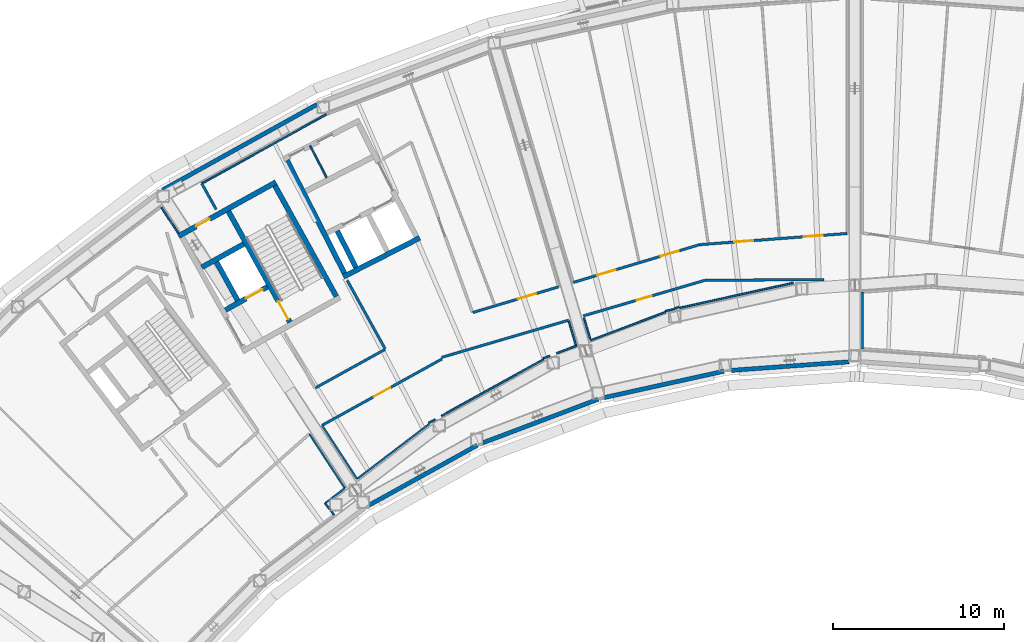
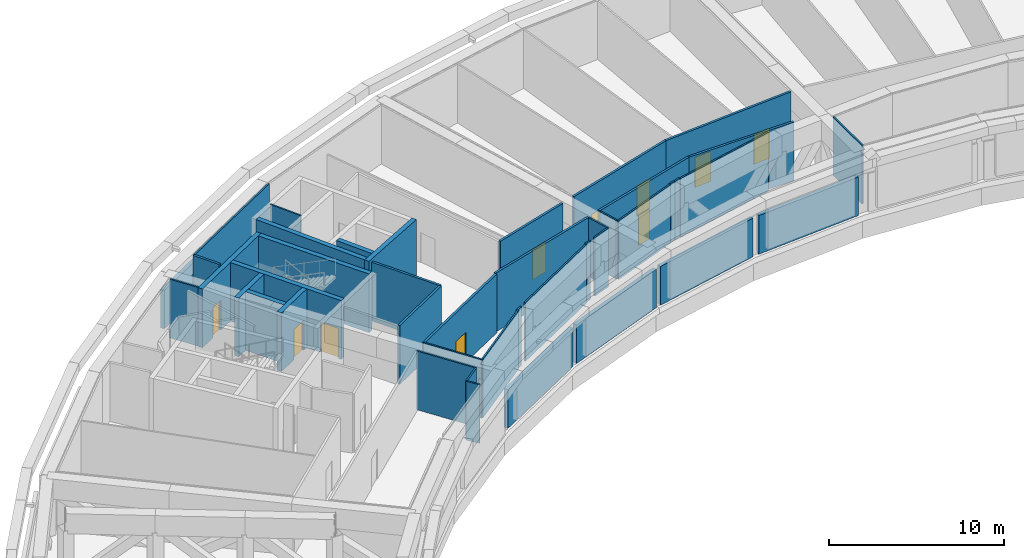
# One storey, part 8 of 25: 43 walls, 10 doors, 10 openings.
"""IFC4 building model written with IfcOpenShell, lengths in metres."""

from ifc_helpers import new_model, si_unit, direction, frame, frame_2d, origin, place, context, subcontext, project, spatial, rectangle, extrude, material, layer, layer_set, type_object, element, fill, save


model = new_model("IFC4")

# Units and contexts
model_context = context("Model", 3, precision=1e-05, world=origin(), true_north=direction((0.0, 1.0)))
body_context = subcontext(model_context, "Body", "Model", "MODEL_VIEW")
ifc_project = project(units=[si_unit("LENGTHUNIT", "METRE"), si_unit("AREAUNIT", "SQUARE_METRE"), si_unit("VOLUMEUNIT", "CUBIC_METRE"), si_unit("PLANEANGLEUNIT", "RADIAN"), si_unit("MASSUNIT", "GRAM", prefix="KILO")], contexts=[model_context])

# Site, building, storey
site_placement = place(None, origin())
site = spatial("IfcSite", under=ifc_project, at=site_placement, CompositionType="ELEMENT")
building_placement = place(site_placement, origin())
building = spatial("IfcBuilding", under=site, at=building_placement, Name="Tuul Gate Civic Tower", CompositionType="ELEMENT")
storey_placement = place(building_placement, frame((0.0, 0.0, 133.699951171875)))
storey = spatial("IfcBuildingStorey", under=building, at=storey_placement, Name="Plant and refuge floor 4", CompositionType="ELEMENT", Elevation=133.699951171875)

# Wall, opening, door
ifc_material_1 = material(Name="Concrete C50/60", Category="concrete")
ifc_layer_1 = layer(ifc_material_1, 0.300048828125)
ifc_layer_set_1 = layer_set([ifc_layer_1], Name="Concrete C50/60")
wall_type_1 = type_object("IfcWallType", Name="Core wall C50/60", PredefinedType="SHEAR", material=ifc_layer_set_1)
wall_1_placement = place(storey_placement, frame((-28.94580078125, -8.090087890625, 0.0), z_axis=(0.0, 0.0, 1.0), x_axis=(-0.874629840737, -0.484791338301, 0.0)))
wall_1 = element("IfcWall", 1, at=wall_1_placement, inside=storey, type_object=wall_type_1, Name="Core wall", PredefinedType="SHEAR", context=body_context, shape_type="SweptSolid", body=[
    extrude(rectangle(XDim=2.800048828125, YDim=0.300048828125, at=frame_2d((1.39990234375, 0.0))), origin(), (0.0, 0.0, 1.0), 4.10009765625),
])
opening_1_placement = place(wall_1_placement, frame((0.324951171875, 0.0, 0.0)))
opening_1 = element("IfcOpeningElement", 2, at=opening_1_placement, cuts=wall_1, Name="Opening LD-FF-1", PredefinedType="OPENING", context=body_context, shape_type="SweptSolid", body=[
    extrude(rectangle(XDim=1.10009765625, YDim=2.10009765625, at=frame_2d((0.550048828125, 1.050048828125))), frame((0.0, 0.16015625, 0.0), z_axis=(0.0, -1.0, 0.0), x_axis=(1.0, 0.0, 0.0)), (0.0, 0.0, 1.0), 0.320068359375),
])
ifc_material_2 = material(Name="Stainless steel", Category="steel")
door_type_1 = type_object("IfcDoorType", Name="Landing door", OperationType="DOUBLE_DOOR_SLIDING", PredefinedType="DOOR", material=ifc_material_2)
door_1_placement = place(opening_1_placement, origin())
door_1 = element("IfcDoor", 3, at=door_1_placement, inside=storey, type_object=door_type_1, Name="Fire-fighting lift FF-1 landing door", OperationType="DOUBLE_DOOR_SLIDING", OverallHeight=2.10009765625, OverallWidth=1.10009765625, PredefinedType="DOOR", context=body_context, shape_type="SweptSolid", body=[
    extrude(rectangle(XDim=1.10009765625, YDim=2.10009765625, at=frame_2d((0.550048828125, 1.050048828125))), frame((0.0, 0.02490234375, 0.0), z_axis=(0.0, -1.0, 0.0), x_axis=(1.0, 0.0, 0.0)), (0.0, 0.0, 1.0), 0.050048828125),
])
fill(opening_1, door_1)

# Wall
wall_2_placement = place(storey_placement, frame((-30.327392578125, -5.59716796875, 0.0), z_axis=(0.0, 0.0, 1.0), x_axis=(-0.874629840737, -0.484791338301, 0.0)))
element("IfcWall", 4, at=wall_2_placement, inside=storey, type_object=wall_type_1, Name="Core wall", PredefinedType="SHEAR", context=body_context, shape_type="SweptSolid", body=[
    extrude(rectangle(XDim=2.800048828125, YDim=0.300048828125, at=frame_2d((1.39990234375, 0.0))), origin(), (0.0, 0.0, 1.0), 4.10009765625),
])

# Wall, opening, door
wall_3_placement = place(storey_placement, frame((-28.4443359375, -1.98095703125, 0.0), z_axis=(0.0, 0.0, 1.0), x_axis=(-0.874629909008, -0.484791215132, 0.0)))
wall_3 = element("IfcWall", 5, at=wall_3_placement, inside=storey, type_object=wall_type_1, Name="Core wall", PredefinedType="SHEAR", context=body_context, shape_type="SweptSolid", body=[
    extrude(rectangle(XDim=6.5, YDim=0.300048828125, at=frame_2d((3.25, 0.0))), origin(), (0.0, 0.0, 1.0), 4.10009765625),
])
opening_2_placement = place(wall_3_placement, frame((4.425048828125, 0.0, 0.0)))
opening_2 = element("IfcOpeningElement", 6, at=opening_2_placement, cuts=wall_3, Name="Opening PB-D27", PredefinedType="OPENING", context=body_context, shape_type="SweptSolid", body=[
    extrude(rectangle(XDim=0.89990234375, YDim=2.10009765625, at=frame_2d((0.449951171875, 1.050048828125))), frame((0.0, 0.16015625, 0.0), z_axis=(0.0, -1.0, 0.0), x_axis=(1.0, 0.0, 0.0)), (0.0, 0.0, 1.0), 0.320068359375),
])
ifc_material_3 = material(Name="Timber door leaf", Category="wood")
door_type_2 = type_object("IfcDoorType", Name="Door D09", OperationType="NOTDEFINED", PredefinedType="DOOR", material=ifc_material_3)
door_2_placement = place(opening_2_placement, origin())
door_2 = element("IfcDoor", 7, at=door_2_placement, inside=storey, type_object=door_type_2, Name="Door PB-D27", OperationType="SINGLE_SWING_LEFT", OverallHeight=2.10009765625, OverallWidth=0.89990234375, PredefinedType="DOOR", context=body_context, shape_type="SweptSolid", body=[
    extrude(rectangle(XDim=0.89990234375, YDim=2.10009765625, at=frame_2d((0.449951171875, 1.050048828125))), frame((0.0, 0.02490234375, 0.0), z_axis=(0.0, -1.0, 0.0), x_axis=(1.0, 0.0, 0.0)), (0.0, 0.0, 1.0), 0.050048828125),
])
fill(opening_2, door_2)

# Wall
wall_4_placement = place(storey_placement, frame((-24.91552734375, -8.6572265625, 0.0), z_axis=(0.0, 0.0, 1.0), x_axis=(-0.484777133038, 0.874637714304, 0.0)))
element("IfcWall", 8, at=wall_4_placement, inside=storey, type_object=wall_type_1, Name="Core wall", PredefinedType="SHEAR", context=body_context, shape_type="SweptSolid", body=[
    extrude(rectangle(XDim=7.400146484375, YDim=0.300048828125, at=frame_2d((3.7001953125, 0.0))), origin(), (0.0, 0.0, 1.0), 4.10009765625),
])

# Wall, opening, door
wall_5_placement = place(storey_placement, frame((-27.626953125, -10.16015625, 0.0), z_axis=(0.0, 0.0, 1.0), x_axis=(-0.484751894226, 0.874651702704, 0.0)))
wall_5 = element("IfcWall", 9, at=wall_5_placement, inside=storey, type_object=wall_type_1, Name="Core wall", PredefinedType="SHEAR", context=body_context, shape_type="SweptSolid", body=[
    extrude(rectangle(XDim=7.39990234375, YDim=0.300048828125, at=frame_2d((3.699951171875, 0.0))), origin(), (0.0, 0.0, 1.0), 4.10009765625),
])
opening_3_placement = place(wall_5_placement, frame((0.199951171875, 0.0, 0.0)))
opening_3 = element("IfcOpeningElement", 10, at=opening_3_placement, cuts=wall_5, Name="Opening SD-ST-2", PredefinedType="OPENING", context=body_context, shape_type="SweptSolid", body=[
    extrude(rectangle(XDim=1.199951171875, YDim=2.10009765625, at=frame_2d((0.60009765625, 1.050048828125))), frame((0.0, 0.16015625, 0.0), z_axis=(0.0, -1.0, 0.0), x_axis=(1.0, 0.0, 0.0)), (0.0, 0.0, 1.0), 0.320068359375),
])
ifc_material_4 = material(Name="Steel", Category="steel")
door_type_3 = type_object("IfcDoorType", Name="Stair door", OperationType="NOTDEFINED", PredefinedType="DOOR", material=ifc_material_4)
door_3_placement = place(opening_3_placement, origin())
door_3 = element("IfcDoor", 11, at=door_3_placement, inside=storey, type_object=door_type_3, Name="Stair door ST-2", OperationType="SINGLE_SWING_LEFT", OverallHeight=2.10009765625, OverallWidth=1.199951171875, PredefinedType="DOOR", context=body_context, shape_type="SweptSolid", body=[
    extrude(rectangle(XDim=1.199951171875, YDim=2.10009765625, at=frame_2d((0.60009765625, 1.050048828125))), frame((0.0, 0.02490234375, 0.0), z_axis=(0.0, -1.0, 0.0), x_axis=(1.0, 0.0, 0.0)), (0.0, 0.0, 1.0), 0.050048828125),
])
fill(opening_3, door_3)

# Walls
wall_6_placement = place(storey_placement, frame((-30.680419921875, -8.8798828125, 0.0), z_axis=(0.0, 0.0, 1.0), x_axis=(-0.484724115216, 0.874667097888, 0.0)))
element("IfcWall", 12, at=wall_6_placement, inside=storey, type_object=wall_type_1, Name="Core wall", PredefinedType="SHEAR", context=body_context, shape_type="SweptSolid", body=[
    extrude(rectangle(XDim=2.550048828125, YDim=0.300048828125, at=frame_2d((1.27490234375, 0.0))), origin(), (0.0, 0.0, 1.0), 4.10009765625),
])
ifc_material_5 = material(Name="Gypsum board partition")
ifc_layer_2 = layer(ifc_material_5, 0.14990234375)
ifc_layer_set_2 = layer_set([ifc_layer_2], Name="Gypsum board partition")
wall_type_2 = type_object("IfcWallType", Name="Corridor wall P150", PredefinedType="PARTITIONING", material=ifc_layer_set_2)
wall_7_placement = place(storey_placement, frame((-18.76611328125, -12.21484375, 0.0), z_axis=(0.0, 0.0, 1.0), x_axis=(0.959718916179, 0.280961922559, 0.0)))
element("IfcWall", 13, at=wall_7_placement, inside=storey, type_object=wall_type_2, Name="p001", PredefinedType="PARTITIONING", context=body_context, shape_type="SweptSolid", body=[
    extrude(rectangle(XDim=7.7275390625, YDim=0.14990234375, at=frame_2d((3.86376953125, 0.0))), origin(), (0.0, 0.0, 1.0), 4.10009765625),
])

# Wall, opening, door
wall_8_placement = place(storey_placement, frame((-10.486083984375, -9.790771484375, 0.0), z_axis=(0.0, 0.0, 1.0), x_axis=(0.959714594981, 0.280976682627, 0.0)))
wall_8 = element("IfcWall", 14, at=wall_8_placement, inside=storey, type_object=wall_type_2, Name="p002", PredefinedType="PARTITIONING", context=body_context, shape_type="SweptSolid", body=[
    extrude(rectangle(XDim=7.389892578125, YDim=0.14990234375, at=frame_2d((3.69482421875, 0.0))), origin(), (0.0, 0.0, 1.0), 4.10009765625),
])
opening_4_placement = place(wall_8_placement, frame((3.244873046875, 0.0, 0.0)))
opening_4 = element("IfcOpeningElement", 15, at=opening_4_placement, cuts=wall_8, Name="Opening PB-D01", PredefinedType="OPENING", context=body_context, shape_type="SweptSolid", body=[
    extrude(rectangle(XDim=0.89990234375, YDim=2.10009765625, at=frame_2d((0.449951171875, 1.050048828125))), frame((0.0, 0.0849609375, 0.0), z_axis=(0.0, -1.0, 0.0), x_axis=(1.0, 0.0, 0.0)), (0.0, 0.0, 1.0), 0.169921875),
])
door_4_placement = place(opening_4_placement, frame((0.89990234375, 0.0, 0.0), z_axis=(0.0, 0.0, 1.0), x_axis=(-1.0, 0.0, 0.0)))
door_4 = element("IfcDoor", 16, at=door_4_placement, inside=storey, type_object=door_type_2, Name="Door PB-D01", OperationType="SINGLE_SWING_LEFT", OverallHeight=2.10009765625, OverallWidth=0.89990234375, PredefinedType="DOOR", context=body_context, shape_type="SweptSolid", body=[
    extrude(rectangle(XDim=0.89990234375, YDim=2.10009765625, at=frame_2d((0.449951171875, 1.050048828125))), frame((0.0, 0.02490234375, 0.0), z_axis=(0.0, -1.0, 0.0), x_axis=(1.0, 0.0, 0.0)), (0.0, 0.0, 1.0), 0.050048828125),
])
fill(opening_4, door_4)

# Wall
wall_9_placement = place(storey_placement, frame((-3.386962890625, -7.71337890625, 0.0), z_axis=(0.0, 0.0, 1.0), x_axis=(0.999981405181, 0.006098302415, 0.0)))
element("IfcWall", 17, at=wall_9_placement, inside=storey, type_object=wall_type_2, Name="p003", PredefinedType="PARTITIONING", context=body_context, shape_type="SweptSolid", body=[
    extrude(rectangle(XDim=6.966064453125, YDim=0.14990234375, at=frame_2d((3.48291015625, 0.0))), origin(), (0.0, 0.0, 1.0), 4.10009765625),
])

# Wall, openings, doors
wall_10_placement = place(storey_placement, frame((-3.69970703125, -5.630859375, 0.0), z_axis=(0.0, 0.0, 1.0), x_axis=(0.99714052903, 0.075569606098, 0.0)))
wall_10 = element("IfcWall", 18, at=wall_10_placement, inside=storey, type_object=wall_type_2, Name="p042", PredefinedType="PARTITIONING", context=body_context, shape_type="SweptSolid", body=[
    extrude(rectangle(XDim=8.6484375, YDim=0.14990234375, at=frame_2d((4.32421875, 0.0))), origin(), (0.0, 0.0, 1.0), 4.10009765625),
])
opening_5_placement = place(wall_10_placement, frame((6.111083984375, 0.0, 0.0)))
opening_5 = element("IfcOpeningElement", 19, at=opening_5_placement, cuts=wall_10, Name="Opening PB-D15", PredefinedType="OPENING", context=body_context, shape_type="SweptSolid", body=[
    extrude(rectangle(XDim=1.10009765625, YDim=2.10009765625, at=frame_2d((0.550048828125, 1.050048828125))), frame((0.0, 0.0849609375, 0.0), z_axis=(0.0, -1.0, 0.0), x_axis=(1.0, 0.0, 0.0)), (0.0, 0.0, 1.0), 0.169921875),
])
opening_6_placement = place(wall_10_placement, frame((2.041748046875, 0.0, 0.0)))
opening_6 = element("IfcOpeningElement", 20, at=opening_6_placement, cuts=wall_10, Name="Opening PB-D16", PredefinedType="OPENING", context=body_context, shape_type="SweptSolid", body=[
    extrude(rectangle(XDim=1.10009765625, YDim=2.10009765625, at=frame_2d((0.550048828125, 1.050048828125))), frame((0.0, 0.0849609375, 0.0), z_axis=(0.0, -1.0, 0.0), x_axis=(1.0, 0.0, 0.0)), (0.0, 0.0, 1.0), 0.169921875),
])
ifc_material_6 = material(Name="Timber door leaf", Category="wood")
door_type_4 = type_object("IfcDoorType", Name="Door D11", OperationType="NOTDEFINED", PredefinedType="DOOR", material=ifc_material_6)
door_5_placement = place(opening_5_placement, origin())
door_5 = element("IfcDoor", 21, at=door_5_placement, inside=storey, type_object=door_type_4, Name="Door PB-D15", OperationType="SINGLE_SWING_RIGHT", OverallHeight=2.10009765625, OverallWidth=1.10009765625, PredefinedType="DOOR", context=body_context, shape_type="SweptSolid", body=[
    extrude(rectangle(XDim=1.10009765625, YDim=2.10009765625, at=frame_2d((0.550048828125, 1.050048828125))), frame((0.0, 0.02490234375, 0.0), z_axis=(0.0, -1.0, 0.0), x_axis=(1.0, 0.0, 0.0)), (0.0, 0.0, 1.0), 0.050048828125),
])
fill(opening_5, door_5)
door_6_placement = place(opening_6_placement, origin())
door_6 = element("IfcDoor", 22, at=door_6_placement, inside=storey, type_object=door_type_4, Name="Door PB-D16", OperationType="SINGLE_SWING_RIGHT", OverallHeight=2.10009765625, OverallWidth=1.10009765625, PredefinedType="DOOR", context=body_context, shape_type="SweptSolid", body=[
    extrude(rectangle(XDim=1.10009765625, YDim=2.10009765625, at=frame_2d((0.550048828125, 1.050048828125))), frame((0.0, 0.02490234375, 0.0), z_axis=(0.0, -1.0, 0.0), x_axis=(1.0, 0.0, 0.0)), (0.0, 0.0, 1.0), 0.050048828125),
])
fill(opening_6, door_6)

# Wall, opening, door
wall_11_placement = place(storey_placement, frame((-16.943603515625, -9.593505859375, 0.0), z_axis=(0.0, 0.0, 1.0), x_axis=(0.958034060002, 0.286654390993, 0.0)))
wall_11 = element("IfcWall", 23, at=wall_11_placement, inside=storey, type_object=wall_type_2, Name="p045", PredefinedType="PARTITIONING", context=body_context, shape_type="SweptSolid", body=[
    extrude(rectangle(XDim=5.232666015625, YDim=0.14990234375, at=frame_2d((2.6162109375, 0.0))), origin(), (0.0, 0.0, 1.0), 4.10009765625),
])
opening_7_placement = place(wall_11_placement, frame((2.746826171875, 0.0, 0.0)))
opening_7 = element("IfcOpeningElement", 24, at=opening_7_placement, cuts=wall_11, Name="Opening PB-D191", PredefinedType="OPENING", context=body_context, shape_type="SweptSolid", body=[
    extrude(rectangle(XDim=1.10009765625, YDim=2.10009765625, at=frame_2d((0.550048828125, 1.050048828125))), frame((0.0, 0.0849609375, 0.0), z_axis=(0.0, -1.0, 0.0), x_axis=(1.0, 0.0, 0.0)), (0.0, 0.0, 1.0), 0.169921875),
])
door_7_placement = place(opening_7_placement, origin())
door_7 = element("IfcDoor", 25, at=door_7_placement, inside=storey, type_object=door_type_4, Name="Door PB-D19", OperationType="SINGLE_SWING_RIGHT", OverallHeight=2.10009765625, OverallWidth=1.10009765625, PredefinedType="DOOR", context=body_context, shape_type="SweptSolid", body=[
    extrude(rectangle(XDim=1.10009765625, YDim=2.10009765625, at=frame_2d((0.550048828125, 1.050048828125))), frame((0.0, 0.02490234375, 0.0), z_axis=(0.0, -1.0, 0.0), x_axis=(1.0, 0.0, 0.0)), (0.0, 0.0, 1.0), 0.050048828125),
])
fill(opening_7, door_7)

# Wall, openings, doors
wall_12_placement = place(storey_placement, frame((-11.068359375, -7.83544921875, 0.0), z_axis=(0.0, 0.0, 1.0), x_axis=(0.958026172304, 0.286680751325, 0.0)))
wall_12 = element("IfcWall", 26, at=wall_12_placement, inside=storey, type_object=wall_type_2, Name="p046", PredefinedType="PARTITIONING", context=body_context, shape_type="SweptSolid", body=[
    extrude(rectangle(XDim=7.689208984375, YDim=0.14990234375, at=frame_2d((3.8447265625, 0.0))), origin(), (0.0, 0.0, 1.0), 4.10009765625),
])
opening_8_placement = place(wall_12_placement, frame((5.305419921875, 0.0, 0.0)))
opening_8 = element("IfcOpeningElement", 27, at=opening_8_placement, cuts=wall_12, Name="Opening PB-D17", PredefinedType="OPENING", context=body_context, shape_type="SweptSolid", body=[
    extrude(rectangle(XDim=1.10009765625, YDim=2.10009765625, at=frame_2d((0.550048828125, 1.050048828125))), frame((0.0, 0.0849609375, 0.0), z_axis=(0.0, -1.0, 0.0), x_axis=(1.0, 0.0, 0.0)), (0.0, 0.0, 1.0), 0.169921875),
])
opening_9_placement = place(wall_12_placement, frame((1.460693359375, 0.0, 0.0)))
opening_9 = element("IfcOpeningElement", 28, at=opening_9_placement, cuts=wall_12, Name="Opening PB-D18", PredefinedType="OPENING", context=body_context, shape_type="SweptSolid", body=[
    extrude(rectangle(XDim=1.10009765625, YDim=2.10009765625, at=frame_2d((0.550048828125, 1.050048828125))), frame((0.0, 0.0849609375, 0.0), z_axis=(0.0, -1.0, 0.0), x_axis=(1.0, 0.0, 0.0)), (0.0, 0.0, 1.0), 0.169921875),
])
door_8_placement = place(opening_8_placement, origin())
door_8 = element("IfcDoor", 29, at=door_8_placement, inside=storey, type_object=door_type_4, Name="Door PB-D17", OperationType="SINGLE_SWING_LEFT", OverallHeight=2.10009765625, OverallWidth=1.10009765625, PredefinedType="DOOR", context=body_context, shape_type="SweptSolid", body=[
    extrude(rectangle(XDim=1.10009765625, YDim=2.10009765625, at=frame_2d((0.550048828125, 1.050048828125))), frame((0.0, 0.02490234375, 0.0), z_axis=(0.0, -1.0, 0.0), x_axis=(1.0, 0.0, 0.0)), (0.0, 0.0, 1.0), 0.050048828125),
])
fill(opening_8, door_8)
door_9_placement = place(opening_9_placement, origin())
door_9 = element("IfcDoor", 30, at=door_9_placement, inside=storey, type_object=door_type_4, Name="Door PB-D18", OperationType="SINGLE_SWING_RIGHT", OverallHeight=2.10009765625, OverallWidth=1.10009765625, PredefinedType="DOOR", context=body_context, shape_type="SweptSolid", body=[
    extrude(rectangle(XDim=1.10009765625, YDim=2.10009765625, at=frame_2d((0.550048828125, 1.050048828125))), frame((0.0, 0.02490234375, 0.0), z_axis=(0.0, -1.0, 0.0), x_axis=(1.0, 0.0, 0.0)), (0.0, 0.0, 1.0), 0.050048828125),
])
fill(opening_9, door_9)

# Walls
wall_13_placement = place(storey_placement, frame((-24.275390625, -7.7236328125, 0.0), z_axis=(0.0, 0.0, 1.0), x_axis=(0.484144956825, -0.874987806076, 0.0)))
element("IfcWall", 31, at=wall_13_placement, inside=storey, type_object=wall_type_2, Name="p050", PredefinedType="PARTITIONING", context=body_context, shape_type="SweptSolid", body=[
    extrude(rectangle(XDim=4.568603515625, YDim=0.14990234375, at=frame_2d((2.2841796875, 0.0))), origin(), (0.0, 0.0, 1.0), 4.10009765625),
])
wall_14_placement = place(storey_placement, frame((-26.140625, -14.0009765625, 0.0), z_axis=(0.0, 0.0, 1.0), x_axis=(0.874955964253, 0.484202499599, 0.0)))
element("IfcWall", 32, at=wall_14_placement, inside=storey, type_object=wall_type_2, Name="p051", PredefinedType="PARTITIONING", context=body_context, shape_type="SweptSolid", body=[
    extrude(rectangle(XDim=4.650390625, YDim=0.14990234375, at=frame_2d((2.3251953125, 0.0))), origin(), (0.0, 0.0, 1.0), 4.10009765625),
])
wall_15_placement = place(storey_placement, frame((-32.7744140625, -2.056396484375, 0.0), z_axis=(0.0, 0.0, 1.0), x_axis=(0.484254237601, -0.874927330334, 0.0)))
element("IfcWall", 33, at=wall_15_placement, inside=storey, type_object=wall_type_2, Name="p052", PredefinedType="PARTITIONING", context=body_context, shape_type="SweptSolid", body=[
    extrude(rectangle(XDim=1.732177734375, YDim=0.14990234375, at=frame_2d((0.8662109375, 0.0))), origin(), (0.0, 0.0, 1.0), 4.10009765625),
])

# Wall, opening, door
wall_16_placement = place(storey_placement, frame((-25.74658203125, -16.18310546875, 0.0), z_axis=(0.0, 0.0, 1.0), x_axis=(0.874961993483, 0.484191604595, 0.0)))
wall_16 = element("IfcWall", 34, at=wall_16_placement, inside=storey, type_object=wall_type_2, Name="p054", PredefinedType="PARTITIONING", context=body_context, shape_type="SweptSolid", body=[
    extrude(rectangle(XDim=8.001953125, YDim=0.14990234375, at=frame_2d((4.0009765625, 0.0))), origin(), (0.0, 0.0, 1.0), 4.10009765625),
])
opening_10_placement = place(wall_16_placement, frame((3.450927734375, 0.0, 0.0)))
opening_10 = element("IfcOpeningElement", 35, at=opening_10_placement, cuts=wall_16, Name="Opening PB-D211", PredefinedType="OPENING", context=body_context, shape_type="SweptSolid", body=[
    extrude(rectangle(XDim=1.10009765625, YDim=2.10009765625, at=frame_2d((0.550048828125, 1.050048828125))), frame((0.0, 0.0849609375, 0.0), z_axis=(0.0, -1.0, 0.0), x_axis=(1.0, 0.0, 0.0)), (0.0, 0.0, 1.0), 0.169921875),
])
door_10_placement = place(opening_10_placement, frame((1.10009765625, 0.0, 0.0), z_axis=(0.0, 0.0, 1.0), x_axis=(-1.0, 0.0, 0.0)))
door_10 = element("IfcDoor", 36, at=door_10_placement, inside=storey, type_object=door_type_4, Name="Door PB-D21", OperationType="SINGLE_SWING_LEFT", OverallHeight=2.10009765625, OverallWidth=1.10009765625, PredefinedType="DOOR", context=body_context, shape_type="SweptSolid", body=[
    extrude(rectangle(XDim=1.10009765625, YDim=2.10009765625, at=frame_2d((0.550048828125, 1.050048828125))), frame((0.0, 0.02490234375, 0.0), z_axis=(0.0, -1.0, 0.0), x_axis=(1.0, 0.0, 0.0)), (0.0, 0.0, 1.0), 0.050048828125),
])
fill(opening_10, door_10)

# Walls
ifc_material_7 = material(Name="Precast concrete C40/50", Category="concrete")
ifc_layer_3 = layer(ifc_material_7, 0.25)
ifc_layer_set_3 = layer_set([ifc_layer_3], Name="Precast concrete C40/50")
wall_type_3 = type_object("IfcWallType", Name="External wall 2700 HIGH", PredefinedType="STANDARD", material=ifc_layer_set_3)
wall_17_placement = place(storey_placement, frame((-26.0400390625, 2.562744140625, 0.0), z_axis=(0.0, 0.0, 1.0), x_axis=(-0.874636614574, -0.484779117173, 0.0)))
element("IfcWall", 37, at=wall_17_placement, inside=storey, type_object=wall_type_3, Name="External wall", PredefinedType="STANDARD", context=body_context, shape_type="SweptSolid", body=[
    extrude(rectangle(XDim=10.321533203125, YDim=0.25, at=frame_2d((5.16064453125, 0.0))), origin(), (0.0, 0.0, 1.0), 2.699951171875),
])
wall_18_placement = place(storey_placement, frame((-23.0029296875, -20.85009765625, 0.0), z_axis=(0.0, 0.0, 1.0), x_axis=(0.874616834791, 0.484814802064, 0.0)))
element("IfcWall", 38, at=wall_18_placement, inside=storey, type_object=wall_type_3, Name="External wall", PredefinedType="STANDARD", context=body_context, shape_type="SweptSolid", body=[
    extrude(rectangle(XDim=7.23583984375, YDim=0.25, at=frame_2d((3.617919921875, 0.0))), origin(), (0.0, 0.0, 1.0), 2.699951171875),
])
wall_19_placement = place(storey_placement, frame((-16.363037109375, -17.206787109375, 0.0), z_axis=(0.0, 0.0, 1.0), x_axis=(0.935366815182, 0.353679121602, 0.0)))
element("IfcWall", 39, at=wall_19_placement, inside=storey, type_object=wall_type_3, Name="External wall", PredefinedType="STANDARD", context=body_context, shape_type="SweptSolid", body=[
    extrude(rectangle(XDim=7.20947265625, YDim=0.25, at=frame_2d((3.604736328125, 0.0))), origin(), (0.0, 0.0, 1.0), 2.699951171875),
])
wall_20_placement = place(storey_placement, frame((-9.261962890625, -14.562255859375, 0.0), z_axis=(0.0, 0.0, 1.0), x_axis=(0.976560720559, 0.215242094075, 0.0)))
element("IfcWall", 40, at=wall_20_placement, inside=storey, type_object=wall_type_3, Name="External wall", PredefinedType="STANDARD", context=body_context, shape_type="SweptSolid", body=[
    extrude(rectangle(XDim=7.151611328125, YDim=0.25, at=frame_2d((3.57568359375, 0.0))), origin(), (0.0, 0.0, 1.0), 2.699951171875),
])
wall_21_placement = place(storey_placement, frame((-1.847900390625, -12.972900390625, 0.0), z_axis=(0.0, 0.0, 1.0), x_axis=(0.997387122807, 0.072242143228, 0.0)))
element("IfcWall", 41, at=wall_21_placement, inside=storey, type_object=wall_type_3, Name="External wall", PredefinedType="STANDARD", context=body_context, shape_type="SweptSolid", body=[
    extrude(rectangle(XDim=6.904296875, YDim=0.25, at=frame_2d((3.4521484375, 0.0))), origin(), (0.0, 0.0, 1.0), 2.699951171875),
])
ifc_material_8 = material(Name="Concrete C40/50", Category="concrete")
ifc_layer_4 = layer(ifc_material_8, 0.300048828125)
ifc_layer_set_4 = layer_set([ifc_layer_4], Name="Concrete C40/50")
wall_type_4 = type_object("IfcWallType", Name="Lift shaft wall C40/50", PredefinedType="STANDARD", material=ifc_layer_set_4)
wall_22_placement = place(storey_placement, frame((-20.049072265625, -5.232421875, 0.0), z_axis=(0.0, 0.0, 1.0), x_axis=(-0.891002976909, -0.453997461601, 0.0)))
element("IfcWall", 42, at=wall_22_placement, inside=storey, type_object=wall_type_4, Name="Shaft wall", PredefinedType="STANDARD", context=body_context, shape_type="SweptSolid", body=[
    extrude(rectangle(XDim=5.0, YDim=0.300048828125, at=frame_2d((2.5, 0.0))), origin(), (0.0, 0.0, 1.0), 4.10009765625),
])
wall_23_placement = place(storey_placement, frame((-23.770263671875, -6.960205078125, 0.0), z_axis=(0.0, 0.0, 1.0), x_axis=(-0.45399587725, 0.891003784189, 0.0)))
element("IfcWall", 43, at=wall_23_placement, inside=storey, type_object=wall_type_4, Name="Shaft wall", PredefinedType="STANDARD", context=body_context, shape_type="SweptSolid", body=[
    extrude(rectangle(XDim=2.39990234375, YDim=0.300048828125, at=frame_2d((1.199951171875, 0.0))), origin(), (0.0, 0.0, 1.0), 4.10009765625),
])
wall_24_placement = place(storey_placement, frame((-24.438720703125, -7.300537109375, 0.0), z_axis=(0.0, 0.0, 1.0), x_axis=(-0.453984101083, 0.891009784438, 0.0)))
element("IfcWall", 44, at=wall_24_placement, inside=storey, type_object=wall_type_4, Name="Shaft wall", PredefinedType="STANDARD", context=body_context, shape_type="SweptSolid", body=[
    extrude(rectangle(XDim=7.399658203125, YDim=0.300048828125, at=frame_2d((3.69970703125, 0.0))), origin(), (0.0, 0.0, 1.0), 4.10009765625),
])
ifc_material_9 = material(Name="Gypsum board partition")
ifc_layer_5 = layer(ifc_material_9, 0.10009765625)
ifc_layer_set_5 = layer_set([ifc_layer_5], Name="Gypsum board partition")
wall_type_5 = type_object("IfcWallType", Name="Partition P100", PredefinedType="PARTITIONING", material=ifc_layer_set_5)
wall_25_placement = place(storey_placement, frame((1.780029296875, -7.8623046875, 0.0), z_axis=(0.0, 0.0, 1.0), x_axis=(-0.976560780589, -0.215241821714, 0.0)))
element("IfcWall", 45, at=wall_25_placement, inside=storey, type_object=wall_type_5, Name="p060", PredefinedType="PARTITIONING", context=body_context, shape_type="SweptSolid", body=[
    extrude(rectangle(XDim=6.8134765625, YDim=0.10009765625, at=frame_2d((3.40673828125, 0.0))), origin(), (0.0, 0.0, 1.0), 4.10009765625),
])
for number, where, z_axis, x_axis, name in (
    (46, (-4.895263671875, -9.27197265625, 0.0), (0.0, 0.0, 1.0), (-0.93529148989, -0.353878268532, 0.0), "p061"),
    (47, (-5.28564453125, -9.419677734375, 0.0), (0.0, 0.0, 1.0), (-0.976570782862, -0.215196435984, 0.0), "p062"),
):
    element("IfcWall", number, at=place(storey_placement, frame(where, z_axis=z_axis, x_axis=x_axis)), inside=storey, type_object=wall_type_5, Name=name, PredefinedType="PARTITIONING", context=body_context, shape_type="SweptSolid", body=[
        extrude(rectangle(XDim=0.41748046875, YDim=0.10009765625, at=frame_2d((0.208740234375, 0.0))), origin(), (0.0, 0.0, 1.0), 4.10009765625),
    ])
wall_26_placement = place(storey_placement, frame((-5.68017578125, -9.568603515625, 0.0), z_axis=(0.0, 0.0, 1.0), x_axis=(-0.935367859975, -0.353676358449, 0.0)))
element("IfcWall", 48, at=wall_26_placement, inside=storey, type_object=wall_type_5, Name="p063", PredefinedType="PARTITIONING", context=body_context, shape_type="SweptSolid", body=[
    extrude(rectangle(XDim=4.682373046875, YDim=0.10009765625, at=frame_2d((2.34130859375, 0.0))), origin(), (0.0, 0.0, 1.0), 4.10009765625),
])
wall_27_placement = place(storey_placement, frame((-10.08837890625, -11.128662109375, 0.0), z_axis=(0.0, 0.0, 1.0), x_axis=(-0.285108618534, 0.958495214196, 0.0)))
element("IfcWall", 49, at=wall_27_placement, inside=storey, type_object=wall_type_5, Name="p064", PredefinedType="PARTITIONING", context=body_context, shape_type="SweptSolid", body=[
    extrude(rectangle(XDim=1.270751953125, YDim=0.10009765625, at=frame_2d((0.63525390625, 0.0))), origin(), (0.0, 0.0, 1.0), 4.10009765625),
])
wall_28_placement = place(storey_placement, frame((-35.140380859375, -3.442138671875, 0.0), z_axis=(0.0, 0.0, 1.0), x_axis=(0.546700758525, -0.837328060337, 0.0)))
element("IfcWall", 50, at=wall_28_placement, inside=storey, type_object=wall_type_5, Name="p066", PredefinedType="PARTITIONING", context=body_context, shape_type="SweptSolid", body=[
    extrude(rectangle(XDim=1.822998046875, YDim=0.10009765625, at=frame_2d((0.91162109375, 0.0))), origin(), (0.0, 0.0, 1.0), 4.10009765625),
])
wall_29_placement = place(storey_placement, frame((5.823974609375, -11.705322265625, 0.0), z_axis=(0.0, 0.0, 1.0), x_axis=(0.0, 1.0, 0.0)))
element("IfcWall", 51, at=wall_29_placement, inside=storey, type_object=wall_type_5, Name="p097", PredefinedType="PARTITIONING", context=body_context, shape_type="SweptSolid", body=[
    extrude(rectangle(XDim=3.294677734375, YDim=0.10009765625, at=frame_2d((1.6474609375, 0.0))), origin(), (0.0, 0.0, 1.0), 4.10009765625),
])
wall_30_placement = place(storey_placement, frame((-32.775390625, -2.056884765625, 0.0), z_axis=(0.0, 0.0, 1.0), x_axis=(0.874630353135, 0.484790413864, 0.0)))
element("IfcWall", 52, at=wall_30_placement, inside=storey, type_object=wall_type_5, Name="p108", PredefinedType="PARTITIONING", context=body_context, shape_type="SweptSolid", body=[
    extrude(rectangle(XDim=8.31787109375, YDim=0.10009765625, at=frame_2d((4.158935546875, 0.0))), origin(), (0.0, 0.0, 1.0), 4.10009765625),
])
wall_31_placement = place(storey_placement, frame((-11.336181640625, -10.0908203125, 0.0), z_axis=(0.0, 0.0, 1.0), x_axis=(0.285234219914, -0.958457844556, 0.0)))
element("IfcWall", 53, at=wall_31_placement, inside=storey, type_object=wall_type_5, Name="p110", PredefinedType="PARTITIONING", context=body_context, shape_type="SweptSolid", body=[
    extrude(rectangle(XDim=1.515869140625, YDim=0.10009765625, at=frame_2d((0.7578125, 0.0))), origin(), (0.0, 0.0, 1.0), 4.10009765625),
])
wall_32_placement = place(storey_placement, frame((-10.90380859375, -11.543701171875, 0.0), z_axis=(0.0, 0.0, 1.0), x_axis=(-0.935288034966, -0.353887399676, 0.0)))
element("IfcWall", 54, at=wall_32_placement, inside=storey, type_object=wall_type_5, Name="p111", PredefinedType="PARTITIONING", context=body_context, shape_type="SweptSolid", body=[
    extrude(rectangle(XDim=1.228759765625, YDim=0.10009765625, at=frame_2d((0.6142578125, 0.0))), origin(), (0.0, 0.0, 1.0), 4.10009765625),
])
wall_33_placement = place(storey_placement, frame((-12.44775390625, -12.127685546875, 0.0), z_axis=(0.0, 0.0, 1.0), x_axis=(-0.935484987267, -0.353366436716, 0.0)))
element("IfcWall", 55, at=wall_33_placement, inside=storey, type_object=wall_type_5, Name="p112", PredefinedType="PARTITIONING", context=body_context, shape_type="SweptSolid", body=[
    extrude(rectangle(XDim=0.417236328125, YDim=0.10009765625, at=frame_2d((0.20849609375, 0.0))), origin(), (0.0, 0.0, 1.0), 4.10009765625),
])
wall_34_placement = place(storey_placement, frame((-12.816650390625, -12.33203125, 0.0), z_axis=(0.0, 0.0, 1.0), x_axis=(-0.874591289072, -0.484860884253, 0.0)))
element("IfcWall", 56, at=wall_34_placement, inside=storey, type_object=wall_type_5, Name="p113", PredefinedType="PARTITIONING", context=body_context, shape_type="SweptSolid", body=[
    extrude(rectangle(XDim=6.813720703125, YDim=0.10009765625, at=frame_2d((3.40673828125, 0.0))), origin(), (0.0, 0.0, 1.0), 4.10009765625),
])
wall_35_placement = place(storey_placement, frame((-19.144775390625, -15.840087890625, 0.0), z_axis=(0.0, 0.0, 1.0), x_axis=(-0.874543306316, -0.484947425375, 0.0)))
element("IfcWall", 57, at=wall_35_placement, inside=storey, type_object=wall_type_5, Name="p114", PredefinedType="PARTITIONING", context=body_context, shape_type="SweptSolid", body=[
    extrude(rectangle(XDim=0.417236328125, YDim=0.10009765625, at=frame_2d((0.20849609375, 0.0))), origin(), (0.0, 0.0, 1.0), 4.10009765625),
])
wall_36_placement = place(storey_placement, frame((-19.480224609375, -16.095703125, 0.0), z_axis=(0.0, 0.0, 1.0), x_axis=(-0.795630154375, -0.605782681701, 0.0)))
element("IfcWall", 58, at=wall_36_placement, inside=storey, type_object=wall_type_5, Name="p115", PredefinedType="PARTITIONING", context=body_context, shape_type="SweptSolid", body=[
    extrude(rectangle(XDim=5.30859375, YDim=0.10009765625, at=frame_2d((2.654296875, 0.0))), origin(), (0.0, 0.0, 1.0), 4.10009765625),
])
wall_37_placement = place(storey_placement, frame((-23.703857421875, -19.3115234375, 0.0), z_axis=(0.0, 0.0, 1.0), x_axis=(-0.546728134917, 0.83731018535, 0.0)))
element("IfcWall", 59, at=wall_37_placement, inside=storey, type_object=wall_type_5, Name="p116", PredefinedType="PARTITIONING", context=body_context, shape_type="SweptSolid", body=[
    extrude(rectangle(XDim=3.736328125, YDim=0.10009765625, at=frame_2d((1.8681640625, 0.0))), origin(), (0.0, 0.0, 1.0), 4.10009765625),
])
wall_38_placement = place(storey_placement, frame((-26.492431640625, -16.68701171875, 0.0), z_axis=(0.0, 0.0, 1.0), x_axis=(0.546731725055, -0.83730784113, 0.0)))
element("IfcWall", 60, at=wall_38_placement, inside=storey, type_object=wall_type_5, Name="p117", PredefinedType="PARTITIONING", context=body_context, shape_type="SweptSolid", body=[
    extrude(rectangle(XDim=3.78759765625, YDim=0.10009765625, at=frame_2d((1.893798828125, 0.0))), origin(), (0.0, 0.0, 1.0), 4.10009765625),
])
wall_39_placement = place(storey_placement, frame((-24.421630859375, -19.8583984375, 0.0), z_axis=(0.0, 0.0, 1.0), x_axis=(-0.795629946772, -0.605782954365, 0.0)))
element("IfcWall", 61, at=wall_39_placement, inside=storey, type_object=wall_type_5, Name="p118", PredefinedType="PARTITIONING", context=body_context, shape_type="SweptSolid", body=[
    extrude(rectangle(XDim=1.441650390625, YDim=0.10009765625, at=frame_2d((0.720703125, 0.0))), origin(), (0.0, 0.0, 1.0), 4.10009765625),
])
wall_40_placement = place(storey_placement, frame((-25.568603515625, -20.731689453125, 0.0), z_axis=(0.0, 0.0, 1.0), x_axis=(0.605764534486, -0.795643971107, 0.0)))
element("IfcWall", 62, at=wall_40_placement, inside=storey, type_object=wall_type_5, Name="p119", PredefinedType="PARTITIONING", context=body_context, shape_type="SweptSolid", body=[
    extrude(rectangle(XDim=0.8447265625, YDim=0.10009765625, at=frame_2d((0.42236328125, 0.0))), origin(), (0.0, 0.0, 1.0), 4.10009765625),
])
wall_41_placement = place(storey_placement, frame((-25.4873046875, -1.71826171875, 0.0), z_axis=(0.0, 0.0, 1.0), x_axis=(-0.453990218702, 0.891006667384, 0.0)))
element("IfcWall", 63, at=wall_41_placement, inside=storey, type_object=wall_type_5, Name="bW3-BAND-0", PredefinedType="PARTITIONING", context=body_context, shape_type="SweptSolid", body=[
    extrude(rectangle(XDim=2.10009765625, YDim=0.10009765625, at=frame_2d((1.050048828125, 0.0))), origin(), (0.0, 0.0, 1.0), 4.10009765625),
])

save(model, "model.ifc")
